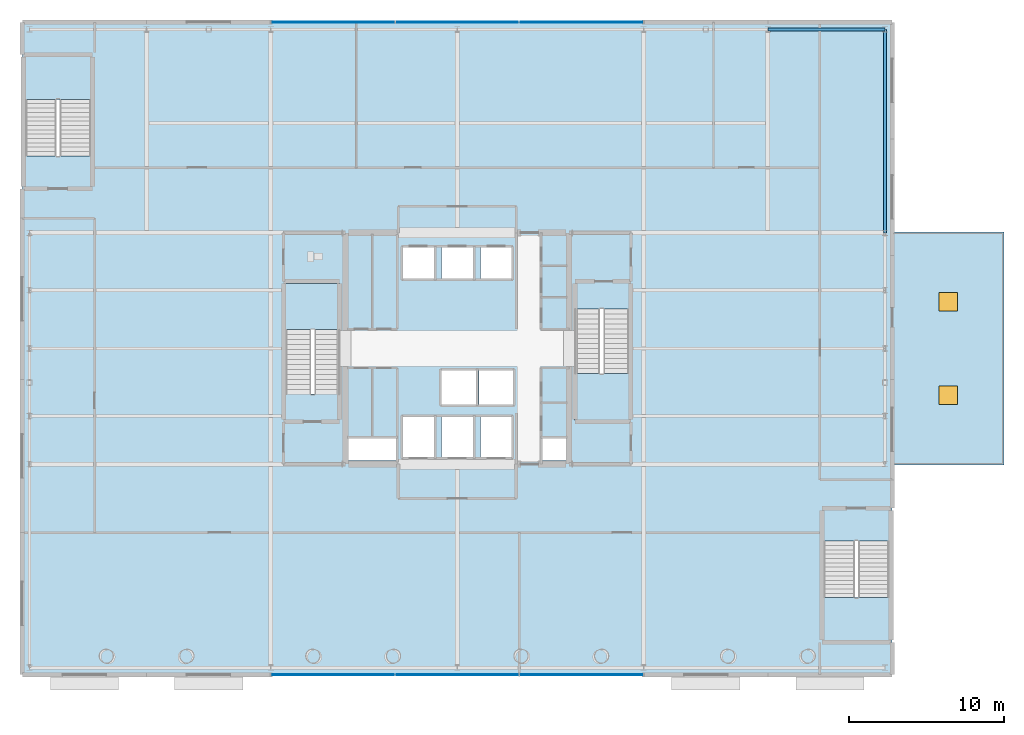
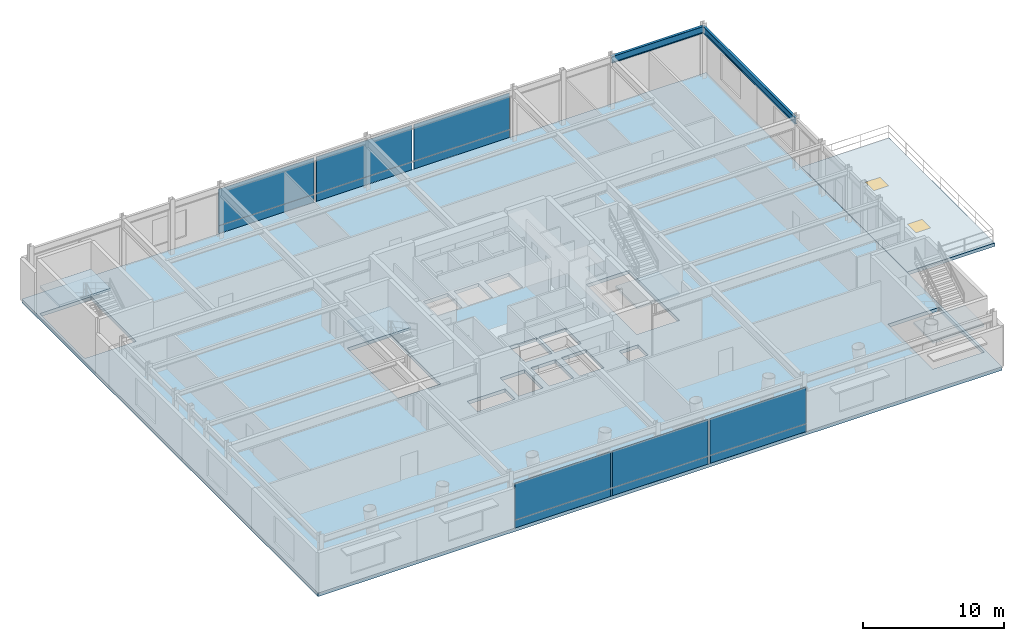
# One storey, part 13 of 22: 12 plates, 6 slabs, 2 beams, 2 windows, 2 openings, 6 elements without a shape of their own.
"""IFC4 building model written with IfcOpenShell, lengths in metres."""

from ifc_helpers import new_model, si_unit, direction, frame, origin, origin_2d, place, context, subcontext, project, spatial, polyline, rectangle, i_section, outline, extrude, material, layer, layer_set, material_profile, profile_set, type_object, element, fill, aggregate, save


model = new_model("IFC4")

# Units and contexts
model_context = context("Model", 3, precision=1e-05, world=origin(), true_north=direction((0.0, 1.0)))
body_context = subcontext(model_context, "Body", "Model", "MODEL_VIEW")
ifc_project = project(units=[si_unit("LENGTHUNIT", "METRE"), si_unit("AREAUNIT", "SQUARE_METRE"), si_unit("VOLUMEUNIT", "CUBIC_METRE"), si_unit("PLANEANGLEUNIT", "RADIAN"), si_unit("MASSUNIT", "GRAM", prefix="KILO")], contexts=[model_context])

# Site, building, storey
site_placement = place(None, origin())
site = spatial("IfcSite", under=ifc_project, at=site_placement, CompositionType="ELEMENT")
building_placement = place(site_placement, origin())
building = spatial("IfcBuilding", under=site, at=building_placement, Name="Veldorina Hangang Commons", CompositionType="ELEMENT")
storey_placement = place(building_placement, frame((0.0, 0.0, 14.800048828125)))
storey = spatial("IfcBuildingStorey", under=building, at=storey_placement, Name="L03", CompositionType="ELEMENT", Elevation=14.800048828125)

# Beams
ifc_material_1 = material(Name="Steel SM420-TMC", Category="steel")
ifc_material_profile = material_profile(ifc_material_1, i_section(OverallWidth=0.199951171875, OverallDepth=0.60009765625, WebThickness=0.010986328125, FlangeThickness=0.01708984375, FilletRadius=0.01806640625, at=origin_2d()), Name="H-600x200x11x17")
ifc_profile_set = profile_set([ifc_material_profile], Name="Steel SM420-TMC")
beam_type = type_object("IfcBeamType", Name="BM-SPN600", PredefinedType="SPANDREL", material=ifc_profile_set)
beam_1_placement = place(storey_placement, frame((52.0, 44.550048828125, 4.199951171875), z_axis=(1.0, 0.0, 0.0), x_axis=(0.0, 1.0, 0.0)))
element("IfcBeam", 1, at=beam_1_placement, inside=storey, type_object=beam_type, Name="L03 north spandrel beam 6", PredefinedType="SPANDREL", context=body_context, shape_type="SweptSolid", body=[
    extrude(i_section(OverallWidth=0.199951171875, OverallDepth=0.60009765625, WebThickness=0.010986328125, FlangeThickness=0.01708984375, FilletRadius=0.01806640625, at=origin_2d()), origin(), (0.0, 0.0, 1.0), 7.550048828125),
])
beam_2_placement = place(storey_placement, frame((59.550048828125, 31.449951171875, 4.199951171875), z_axis=(0.0, 1.0, 0.0), x_axis=(-1.0, 0.0, 0.0)))
element("IfcBeam", 2, at=beam_2_placement, inside=storey, type_object=beam_type, Name="L03 east spandrel beam 6", PredefinedType="SPANDREL", context=body_context, shape_type="SweptSolid", body=[
    extrude(i_section(OverallWidth=0.199951171875, OverallDepth=0.60009765625, WebThickness=0.010986328125, FlangeThickness=0.01708984375, FilletRadius=0.01806640625, at=origin_2d()), origin(), (0.0, 0.0, 1.0), 13.10009765625),
])

# Curtain wall, plates
ifc_material_2 = material(Name="Glass Low-E Triple IGU", Category="glass")
ifc_layer_1 = layer(ifc_material_2, 0.179931640625)
ifc_layer_set_1 = layer_set([ifc_layer_1], Name="Glass Low-E Triple IGU")
curtain_wall_type = type_object("IfcCurtainWallType", Name="CW-SYS-POD", PredefinedType="NOTDEFINED", material=ifc_layer_set_1)
curtain_wall_1_placement = place(storey_placement, origin())
curtain_wall_1 = element("IfcCurtainWall", 3, at=curtain_wall_1_placement, inside=storey, type_object=curtain_wall_type, Name="L03 unitised curtain wall CW-L03-S-CTR", PredefinedType="NOTDEFINED")
ifc_material_3 = material(Name="Stone Roman Travertine", Category="masonry")
ifc_layer_2 = layer(ifc_material_3, 0.054931640625)
ifc_layer_set_2 = layer_set([ifc_layer_2], Name="Stone Roman Travertine")
plate_type_1 = type_object("IfcPlateType", Name="CW-PNL-SPN", PredefinedType="USERDEFINED", material=ifc_layer_set_2)
plate_1_placement = place(storey_placement, frame((24.0, 3.0, 0.02490234375), z_axis=(0.0, 0.0, 1.0), x_axis=(1.0, 0.0, 0.0)))
plate_1 = element("IfcPlate", 4, at=plate_1_placement, type_object=plate_type_1, Name="CW-L03-S-CTR facet 1 travertine spandrel panel", ObjectType="SPANDREL", PredefinedType="USERDEFINED", context=body_context, shape_type="SweptSolid", body=[
    extrude(rectangle(XDim=7.820068359375, YDim=0.054931640625, at=origin_2d()), origin(), (0.0, 0.0, 1.0), 0.669921875),
])
plate_2_placement = place(storey_placement, frame((32.0, 3.0, 0.02490234375), z_axis=(0.0, 0.0, 1.0), x_axis=(1.0, 0.0, 0.0)))
plate_2 = element("IfcPlate", 5, at=plate_2_placement, type_object=plate_type_1, Name="CW-L03-S-CTR facet 2 travertine spandrel panel", ObjectType="SPANDREL", PredefinedType="USERDEFINED", context=body_context, shape_type="SweptSolid", body=[
    extrude(rectangle(XDim=7.820068359375, YDim=0.054931640625, at=origin_2d()), origin(), (0.0, 0.0, 1.0), 0.669921875),
])
plate_3_placement = place(storey_placement, frame((40.0, 3.0, 0.02490234375), z_axis=(0.0, 0.0, 1.0), x_axis=(1.0, 0.0, 0.0)))
plate_3 = element("IfcPlate", 6, at=plate_3_placement, type_object=plate_type_1, Name="CW-L03-S-CTR facet 3 travertine spandrel panel", ObjectType="SPANDREL", PredefinedType="USERDEFINED", context=body_context, shape_type="SweptSolid", body=[
    extrude(rectangle(XDim=7.820068359375, YDim=0.054931640625, at=origin_2d()), origin(), (0.0, 0.0, 1.0), 0.669921875),
])

curtain_wall_2_placement = place(storey_placement, origin())
curtain_wall_2 = element("IfcCurtainWall", 7, at=curtain_wall_2_placement, inside=storey, type_object=curtain_wall_type, Name="L03 unitised curtain wall CW-L03-N-CTR", PredefinedType="NOTDEFINED")
plate_4_placement = place(storey_placement, frame((40.0, 45.0, 0.02490234375), z_axis=(0.0, 0.0, 1.0), x_axis=(-1.0, 0.0, 0.0)))
plate_4 = element("IfcPlate", 8, at=plate_4_placement, type_object=plate_type_1, Name="CW-L03-N-CTR facet 1 travertine spandrel panel", ObjectType="SPANDREL", PredefinedType="USERDEFINED", context=body_context, shape_type="SweptSolid", body=[
    extrude(rectangle(XDim=7.820068359375, YDim=0.054931640625, at=origin_2d()), origin(), (0.0, 0.0, 1.0), 0.669921875),
])
plate_5_placement = place(storey_placement, frame((32.0, 45.0, 0.02490234375), z_axis=(0.0, 0.0, 1.0), x_axis=(-1.0, 0.0, 0.0)))
plate_5 = element("IfcPlate", 9, at=plate_5_placement, type_object=plate_type_1, Name="CW-L03-N-CTR facet 2 travertine spandrel panel", ObjectType="SPANDREL", PredefinedType="USERDEFINED", context=body_context, shape_type="SweptSolid", body=[
    extrude(rectangle(XDim=7.820068359375, YDim=0.054931640625, at=origin_2d()), origin(), (0.0, 0.0, 1.0), 0.669921875),
])
plate_6_placement = place(storey_placement, frame((24.0, 45.0, 0.02490234375), z_axis=(0.0, 0.0, 1.0), x_axis=(-1.0, 0.0, 0.0)))
plate_6 = element("IfcPlate", 10, at=plate_6_placement, type_object=plate_type_1, Name="CW-L03-N-CTR facet 3 travertine spandrel panel", ObjectType="SPANDREL", PredefinedType="USERDEFINED", context=body_context, shape_type="SweptSolid", body=[
    extrude(rectangle(XDim=7.820068359375, YDim=0.054931640625, at=origin_2d()), origin(), (0.0, 0.0, 1.0), 0.669921875),
])

# Plate
ifc_layer_3 = layer(ifc_material_2, 0.0400390625)
ifc_layer_set_3 = layer_set([ifc_layer_3], Name="Glass Low-E Triple IGU")
plate_type_2 = type_object("IfcPlateType", Name="CW-PNL-VIS", PredefinedType="CURTAIN_PANEL", material=ifc_layer_set_3)
plate_7_placement = place(storey_placement, frame((24.0, 3.0, 0.715087890625), z_axis=(0.0, 0.0, 1.0), x_axis=(1.0, 0.0, 0.0)))
plate_7 = element("IfcPlate", 11, at=plate_7_placement, type_object=plate_type_2, Name="CW-L03-S-CTR facet 1 glazed vision panel", PredefinedType="CURTAIN_PANEL", context=body_context, shape_type="SweptSolid", body=[
    extrude(rectangle(XDim=7.820068359375, YDim=0.0400390625, at=origin_2d()), origin(), (0.0, 0.0, 1.0), 3.14990234375),
])

plate_8_placement = place(storey_placement, frame((32.0, 3.0, 0.715087890625), z_axis=(0.0, 0.0, 1.0), x_axis=(1.0, 0.0, 0.0)))
plate_8 = element("IfcPlate", 12, at=plate_8_placement, type_object=plate_type_2, Name="CW-L03-S-CTR facet 2 glazed vision panel", PredefinedType="CURTAIN_PANEL", context=body_context, shape_type="SweptSolid", body=[
    extrude(rectangle(XDim=7.820068359375, YDim=0.0400390625, at=origin_2d()), origin(), (0.0, 0.0, 1.0), 3.14990234375),
])

plate_9_placement = place(storey_placement, frame((40.0, 3.0, 0.715087890625), z_axis=(0.0, 0.0, 1.0), x_axis=(1.0, 0.0, 0.0)))
plate_9 = element("IfcPlate", 13, at=plate_9_placement, type_object=plate_type_2, Name="CW-L03-S-CTR facet 3 glazed vision panel", PredefinedType="CURTAIN_PANEL", context=body_context, shape_type="SweptSolid", body=[
    extrude(rectangle(XDim=7.820068359375, YDim=0.0400390625, at=origin_2d()), origin(), (0.0, 0.0, 1.0), 3.14990234375),
])

aggregate(curtain_wall_1, [plate_1, plate_7, plate_2, plate_8, plate_3, plate_9])

plate_10_placement = place(storey_placement, frame((40.0, 45.0, 0.715087890625), z_axis=(0.0, 0.0, 1.0), x_axis=(-1.0, 0.0, 0.0)))
plate_10 = element("IfcPlate", 14, at=plate_10_placement, type_object=plate_type_2, Name="CW-L03-N-CTR facet 1 glazed vision panel", PredefinedType="CURTAIN_PANEL", context=body_context, shape_type="SweptSolid", body=[
    extrude(rectangle(XDim=7.820068359375, YDim=0.0400390625, at=origin_2d()), origin(), (0.0, 0.0, 1.0), 3.14990234375),
])

plate_11_placement = place(storey_placement, frame((32.0, 45.0, 0.715087890625), z_axis=(0.0, 0.0, 1.0), x_axis=(-1.0, 0.0, 0.0)))
plate_11 = element("IfcPlate", 15, at=plate_11_placement, type_object=plate_type_2, Name="CW-L03-N-CTR facet 2 glazed vision panel", PredefinedType="CURTAIN_PANEL", context=body_context, shape_type="SweptSolid", body=[
    extrude(rectangle(XDim=7.820068359375, YDim=0.0400390625, at=origin_2d()), origin(), (0.0, 0.0, 1.0), 3.14990234375),
])

plate_12_placement = place(storey_placement, frame((24.0, 45.0, 0.715087890625), z_axis=(0.0, 0.0, 1.0), x_axis=(-1.0, 0.0, 0.0)))
plate_12 = element("IfcPlate", 16, at=plate_12_placement, type_object=plate_type_2, Name="CW-L03-N-CTR facet 3 glazed vision panel", PredefinedType="CURTAIN_PANEL", context=body_context, shape_type="SweptSolid", body=[
    extrude(rectangle(XDim=7.820068359375, YDim=0.0400390625, at=origin_2d()), origin(), (0.0, 0.0, 1.0), 3.14990234375),
])

aggregate(curtain_wall_2, [plate_4, plate_10, plate_5, plate_11, plate_6, plate_12])

# Slab
ifc_material_4 = material(Name="Concrete C45/55", Category="concrete")
ifc_layer_4 = layer(ifc_material_4, 0.300048828125)
ifc_layer_set_4 = layer_set([ifc_layer_4], Name="Concrete C45/55")
slab_type_1 = type_object("IfcSlabType", Name="SL-FLR-300", PredefinedType="FLOOR", material=ifc_layer_set_4)
slab_1_placement = place(storey_placement, frame((0.0, 0.0, -0.300048828125)))
element("IfcSlab", 17, at=slab_1_placement, inside=storey, type_object=slab_type_1, Name="L03 podium structural floor slab", PredefinedType="FLOOR", context=body_context, shape_type="SweptSolid", body=[
    extrude(outline(polyline([(4.0, 3.0), (60.0, 3.0), (60.0, 45.0), (4.0, 45.0), (4.0, 3.0)]), holes=[polyline([(20.949951171875, 21.05810546875), (20.949951171875, 28.199951171875), (24.449951171875, 28.199951171875), (24.449951171875, 21.05810546875), (20.949951171875, 21.05810546875)]), polyline([(43.050048828125, 26.5419921875), (43.050048828125, 19.39990234375), (39.550048828125, 19.39990234375), (39.550048828125, 26.5419921875), (43.050048828125, 26.5419921875)]), polyline([(4.199951171875, 36.407958984375), (4.199951171875, 42.800048828125), (8.39990234375, 42.800048828125), (8.39990234375, 36.407958984375), (4.199951171875, 36.407958984375)]), polyline([(59.800048828125, 11.592041015625), (59.800048828125, 5.199951171875), (55.60009765625, 5.199951171875), (55.60009765625, 11.592041015625), (59.800048828125, 11.592041015625)]), polyline([(28.5, 30.5), (30.5, 30.5), (30.5, 28.5), (28.5, 28.5), (28.5, 30.5)]), polyline([(31.0, 30.5), (33.0, 30.5), (33.0, 28.5), (31.0, 28.5), (31.0, 30.5)]), polyline([(33.5, 30.5), (35.5, 30.5), (35.5, 28.5), (33.5, 28.5), (33.5, 30.5)]), polyline([(31.0, 22.60009765625), (33.199951171875, 22.60009765625), (33.199951171875, 20.39990234375), (31.0, 20.39990234375), (31.0, 22.60009765625)]), polyline([(33.39990234375, 22.60009765625), (35.60009765625, 22.60009765625), (35.60009765625, 20.39990234375), (33.39990234375, 20.39990234375), (33.39990234375, 22.60009765625)]), polyline([(28.5, 19.60009765625), (30.5, 19.60009765625), (30.5, 17.0), (28.5, 17.0), (28.5, 19.60009765625)]), polyline([(31.0, 19.60009765625), (33.0, 19.60009765625), (33.0, 17.0), (31.0, 17.0), (31.0, 19.60009765625)]), polyline([(33.5, 19.60009765625), (35.5, 19.60009765625), (35.5, 17.0), (33.5, 17.0), (33.5, 19.60009765625)]), polyline([(25.0, 18.25), (28.10009765625, 18.25), (28.10009765625, 16.800048828125), (25.0, 16.800048828125), (25.0, 18.25)]), polyline([(37.449951171875, 18.25), (39.0, 18.25), (39.0, 16.800048828125), (37.449951171875, 16.800048828125), (37.449951171875, 18.25)])]), origin(), (0.0, 0.0, 1.0), 0.300048828125),
])

# Stair, slab
ifc_material_5 = material(Name="Concrete C40/50", Category="concrete")
stair_type_1 = type_object("IfcStairType", Name="STR-DOG-1650-28R", PredefinedType="HALF_TURN_STAIR", material=ifc_material_5)
stair_1_placement = place(storey_placement, origin())
stair_1 = element("IfcStair", 18, at=stair_1_placement, inside=storey, type_object=stair_type_1, Name="L03 Exit stair ST-1", PredefinedType="HALF_TURN_STAIR")
ifc_layer_5 = layer(ifc_material_5, 0.199951171875)
ifc_layer_set_5 = layer_set([ifc_layer_5], Name="Concrete C40/50")
slab_type_2 = type_object("IfcSlabType", Name="SL-LND-200", PredefinedType="LANDING", material=ifc_layer_set_5)
slab_2_placement = place(storey_placement, frame((0.0, 0.0, 2.199951171875)))
slab_2 = element("IfcSlab", 19, at=slab_2_placement, type_object=slab_type_2, Name="ST-1 landing 1", PredefinedType="LANDING", context=body_context, shape_type="SweptSolid", body=[
    extrude(outline(polyline([(24.449951171875, 25.2099609375), (24.449951171875, 28.199951171875), (20.949951171875, 28.199951171875), (20.949951171875, 25.2099609375), (24.449951171875, 25.2099609375)])), origin(), (0.0, 0.0, 1.0), 0.199951171875),
])
aggregate(stair_1, [slab_2])

stair_2_placement = place(storey_placement, origin())
stair_2 = element("IfcStair", 20, at=stair_2_placement, inside=storey, type_object=stair_type_1, Name="L03 Exit stair ST-2", PredefinedType="HALF_TURN_STAIR")
slab_3_placement = place(storey_placement, frame((0.0, 0.0, 2.199951171875)))
slab_3 = element("IfcSlab", 21, at=slab_3_placement, type_object=slab_type_2, Name="ST-2 landing 1", PredefinedType="LANDING", context=body_context, shape_type="SweptSolid", body=[
    extrude(outline(polyline([(39.550048828125, 22.389892578125), (39.550048828125, 19.39990234375), (43.050048828125, 19.39990234375), (43.050048828125, 22.389892578125), (39.550048828125, 22.389892578125)])), origin(), (0.0, 0.0, 1.0), 0.199951171875),
])
aggregate(stair_2, [slab_3])

stair_type_2 = type_object("IfcStairType", Name="STR-DOG-2000-28R", PredefinedType="HALF_TURN_STAIR", material=ifc_material_5)
stair_3_placement = place(storey_placement, origin())
stair_3 = element("IfcStair", 22, at=stair_3_placement, inside=storey, type_object=stair_type_2, Name="L03 Exit stair ST-P1", PredefinedType="HALF_TURN_STAIR")
slab_4_placement = place(storey_placement, frame((0.0, 0.0, 2.199951171875)))
slab_4 = element("IfcSlab", 23, at=slab_4_placement, type_object=slab_type_2, Name="ST-P1 landing 1", PredefinedType="LANDING", context=body_context, shape_type="SweptSolid", body=[
    extrude(outline(polyline([(8.39990234375, 40.0400390625), (8.39990234375, 42.800048828125), (4.199951171875, 42.800048828125), (4.199951171875, 40.0400390625), (8.39990234375, 40.0400390625)])), origin(), (0.0, 0.0, 1.0), 0.199951171875),
])
aggregate(stair_3, [slab_4])

stair_4_placement = place(storey_placement, origin())
stair_4 = element("IfcStair", 24, at=stair_4_placement, inside=storey, type_object=stair_type_2, Name="L03 Exit stair ST-P2", PredefinedType="HALF_TURN_STAIR")
slab_5_placement = place(storey_placement, frame((0.0, 0.0, 2.199951171875)))
slab_5 = element("IfcSlab", 25, at=slab_5_placement, type_object=slab_type_2, Name="ST-P2 landing 1", PredefinedType="LANDING", context=body_context, shape_type="SweptSolid", body=[
    extrude(outline(polyline([(55.60009765625, 7.9599609375), (55.60009765625, 5.199951171875), (59.800048828125, 5.199951171875), (59.800048828125, 7.9599609375), (55.60009765625, 7.9599609375)])), origin(), (0.0, 0.0, 1.0), 0.199951171875),
])
aggregate(stair_4, [slab_5])

# Slab, openings, windows
ifc_layer_6 = layer(ifc_material_4, 0.280029296875)
ifc_layer_set_6 = layer_set([ifc_layer_6], Name="Concrete C45/55")
slab_type_3 = type_object("IfcSlabType", Name="SL-ROOF-280", PredefinedType="ROOF", material=ifc_layer_set_6)
slab_6_placement = place(storey_placement, frame((0.0, 0.0, -0.280029296875)))
slab_6 = element("IfcSlab", 26, at=slab_6_placement, inside=storey, type_object=slab_type_3, Name="L03 east commons cantilever flat roof slab", PredefinedType="ROOF", context=body_context, shape_type="SweptSolid", body=[
    extrude(outline(polyline([(60.02001953125, 16.5), (67.199951171875, 16.5), (67.199951171875, 31.5), (60.02001953125, 31.5), (60.02001953125, 16.5)])), origin(), (0.0, 0.0, 1.0), 0.280029296875),
])
opening_1_placement = place(slab_6_placement, frame((63.60009765625, 21.0, 0.0)))
opening_1 = element("IfcOpeningElement", 27, at=opening_1_placement, cuts=slab_6, Name="Opening WSK-12", PredefinedType="OPENING", context=body_context, shape_type="SweptSolid", body=[
    extrude(rectangle(XDim=1.199951171875, YDim=1.199951171875, at=origin_2d()), frame((0.0, 0.0, -0.010009765625)), (0.0, 0.0, 1.0), 0.300048828125),
])
opening_2_placement = place(slab_6_placement, frame((63.60009765625, 27.0, 0.0)))
opening_2 = element("IfcOpeningElement", 28, at=opening_2_placement, cuts=slab_6, Name="Opening WSK-12", PredefinedType="OPENING", context=body_context, shape_type="SweptSolid", body=[
    extrude(rectangle(XDim=1.199951171875, YDim=1.199951171875, at=origin_2d()), frame((0.0, 0.0, -0.010009765625)), (0.0, 0.0, 1.0), 0.300048828125),
])
ifc_material_6 = material(Name="Glass Laminated Safety", Category="glass")
window_type = type_object("IfcWindowType", Name="WIN-SKY-1200", PartitioningType="SINGLE_PANEL", PredefinedType="SKYLIGHT", material=ifc_material_6)
window_1_placement = place(opening_1_placement, frame((0.0, 0.0, 0.199951171875)))
window_1 = element("IfcWindow", 29, at=window_1_placement, inside=storey, type_object=window_type, Name="L03 cantilever terrace hatch 1 1200x1200", OverallHeight=1.199951171875, OverallWidth=1.199951171875, PartitioningType="SINGLE_PANEL", PredefinedType="SKYLIGHT", context=body_context, shape_type="SweptSolid", body=[
    extrude(rectangle(XDim=1.199951171875, YDim=1.199951171875, at=origin_2d()), origin(), (0.0, 0.0, 1.0), 0.080078125),
])
fill(opening_1, window_1)
window_2_placement = place(opening_2_placement, frame((0.0, 0.0, 0.199951171875)))
window_2 = element("IfcWindow", 30, at=window_2_placement, inside=storey, type_object=window_type, Name="L03 cantilever terrace hatch 2 1200x1200", OverallHeight=1.199951171875, OverallWidth=1.199951171875, PartitioningType="SINGLE_PANEL", PredefinedType="SKYLIGHT", context=body_context, shape_type="SweptSolid", body=[
    extrude(rectangle(XDim=1.199951171875, YDim=1.199951171875, at=origin_2d()), origin(), (0.0, 0.0, 1.0), 0.080078125),
])
fill(opening_2, window_2)

save(model, "model.ifc")
